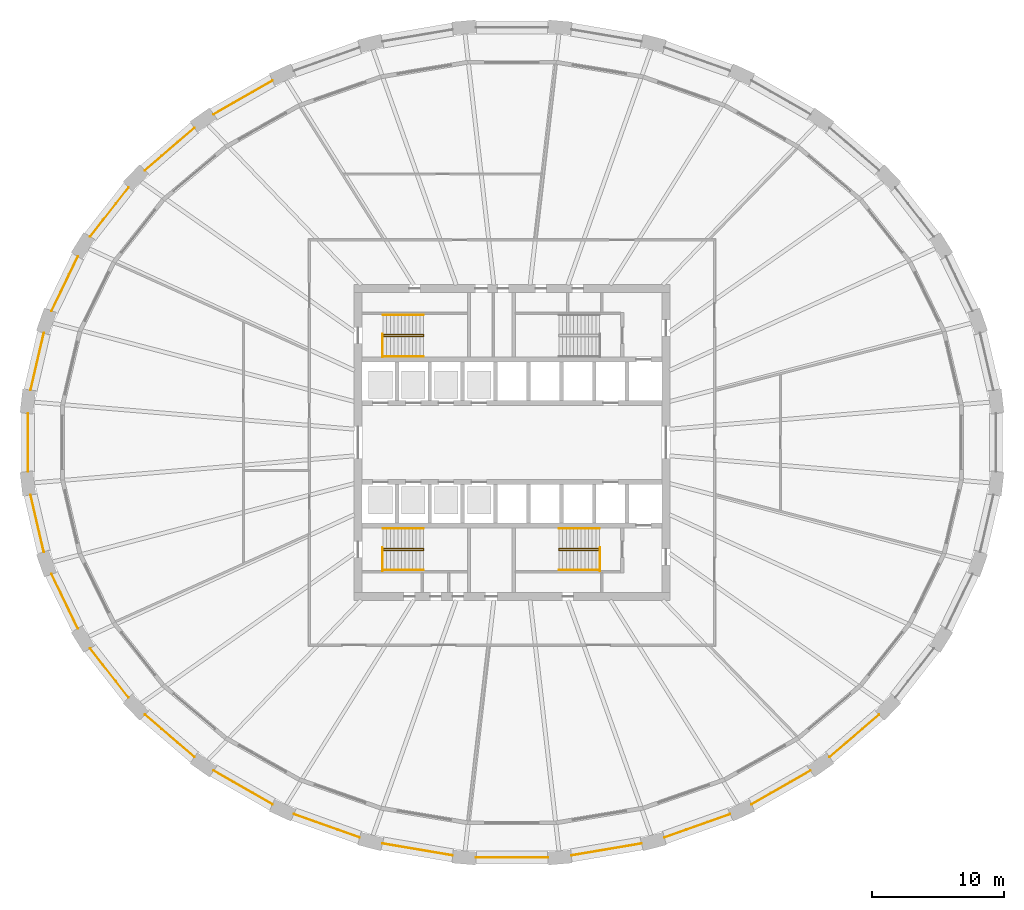
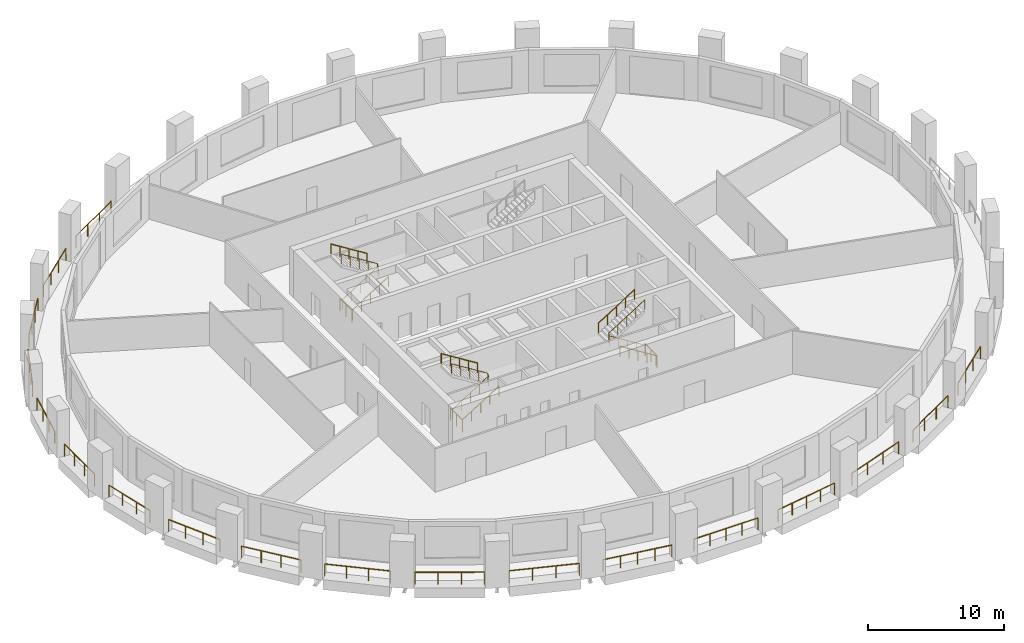
# One storey, part 8 of 10: 30 railings.
"""IFC4 building model written with IfcOpenShell, lengths in metres."""

from ifc_helpers import new_model, si_unit, direction, frame, origin, origin_2d, place, context, subcontext, project, spatial, circle, extrude, material, type_object, element, save


model = new_model("IFC4")

# Units and contexts
model_context = context("Model", 3, precision=1e-05, world=origin(), true_north=direction((0.0, 1.0)))
body_context = subcontext(model_context, "Body", "Model", "MODEL_VIEW")
ifc_project = project(units=[si_unit("LENGTHUNIT", "METRE"), si_unit("AREAUNIT", "SQUARE_METRE"), si_unit("VOLUMEUNIT", "CUBIC_METRE"), si_unit("PLANEANGLEUNIT", "RADIAN"), si_unit("MASSUNIT", "GRAM", prefix="KILO")], contexts=[model_context])

# Site, building, storey
site_placement = place(None, origin())
site = spatial("IfcSite", under=ifc_project, at=site_placement, CompositionType="ELEMENT")
building_placement = place(site_placement, origin())
building = spatial("IfcBuilding", under=site, at=building_placement, Name="Halqa Exchange Tower", CompositionType="ELEMENT")
storey_placement = place(building_placement, frame((0.0, 0.0, 61.300048828125)))
storey = spatial("IfcBuildingStorey", under=building, at=storey_placement, Name="L13", CompositionType="ELEMENT", Elevation=61.300048828125)

# Railings
ifc_material = material(Name="Stainless steel", Category="steel")
railing_type_1 = type_object("IfcRailingType", Name="Guard 1100 stainless steel", PredefinedType="GUARDRAIL", material=ifc_material)
railing_1_placement = place(storey_placement, frame((-18.210205078125, 27.502197265625, 0.0)))
element("IfcRailing", 1, at=railing_1_placement, inside=storey, type_object=railing_type_1, Name="Loggia guard 11", PredefinedType="GUARDRAIL", context=body_context, shape_type="SweptSolid", body=[
    extrude(circle(Radius=0.02392578125, at=origin_2d()), frame((0.0, 0.0, 1.076171875), z_axis=(-0.867766755892, -0.496971686688, 0.0), x_axis=(0.496971686688, -0.867766755892, 0.0)), (0.0, 0.0, 1.0), 5.14501953125),
    extrude(circle(Radius=0.02099609375, at=origin_2d()), origin(), (0.0, 0.0, 1.0), 1.052001953125),
    extrude(circle(Radius=0.02099609375, at=origin_2d()), frame((-1.48828125, -0.852294921875, 0.0)), (0.0, 0.0, 1.0), 1.052001953125),
    extrude(circle(Radius=0.02099609375, at=origin_2d()), frame((-2.976318359375, -1.70458984375, 0.0)), (0.0, 0.0, 1.0), 1.052001953125),
    extrude(circle(Radius=0.02099609375, at=origin_2d()), frame((-4.464599609375, -2.556884765625, 0.0)), (0.0, 0.0, 1.0), 1.052001953125),
])
railing_2_placement = place(storey_placement, frame((-24.13916015625, 23.912353515625, 0.0)))
element("IfcRailing", 2, at=railing_2_placement, inside=storey, type_object=railing_type_1, Name="Loggia guard 12", PredefinedType="GUARDRAIL", context=body_context, shape_type="SweptSolid", body=[
    extrude(circle(Radius=0.02392578125, at=origin_2d()), frame((0.0, 0.0, 1.076171875), z_axis=(-0.75924963979, -0.650799496373, 0.0), x_axis=(0.650799496373, -0.75924963979, 0.0)), (0.0, 0.0, 1.0), 4.950439453125),
    extrude(circle(Radius=0.02099609375, at=origin_2d()), origin(), (0.0, 0.0, 1.0), 1.052001953125),
    extrude(circle(Radius=0.02099609375, at=origin_2d()), frame((-1.2529296875, -1.073974609375, 0.0)), (0.0, 0.0, 1.0), 1.052001953125),
    extrude(circle(Radius=0.02099609375, at=origin_2d()), frame((-2.505615234375, -2.147705078125, 0.0)), (0.0, 0.0, 1.0), 1.052001953125),
    extrude(circle(Radius=0.02099609375, at=origin_2d()), frame((-3.758544921875, -3.2216796875, 0.0)), (0.0, 0.0, 1.0), 1.052001953125),
])
railing_3_placement = place(storey_placement, frame((-29.134521484375, 19.395263671875, 0.0)))
element("IfcRailing", 3, at=railing_3_placement, inside=storey, type_object=railing_type_1, Name="Loggia guard 13", PredefinedType="GUARDRAIL", context=body_context, shape_type="SweptSolid", body=[
    extrude(circle(Radius=0.02392578125, at=origin_2d()), frame((0.0, 0.0, 1.076171875), z_axis=(-0.614797843814, -0.788684735012, 0.0), x_axis=(0.788684735012, -0.614797843814, 0.0)), (0.0, 0.0, 1.0), 4.749755859375),
    extrude(circle(Radius=0.02099609375, at=origin_2d()), origin(), (0.0, 0.0, 1.0), 1.052001953125),
    extrude(circle(Radius=0.02099609375, at=origin_2d()), frame((-0.973388671875, -1.248779296875, 0.0)), (0.0, 0.0, 1.0), 1.052001953125),
    extrude(circle(Radius=0.02099609375, at=origin_2d()), frame((-1.94677734375, -2.497314453125, 0.0)), (0.0, 0.0, 1.0), 1.052001953125),
    extrude(circle(Radius=0.02099609375, at=origin_2d()), frame((-2.920166015625, -3.74609375, 0.0)), (0.0, 0.0, 1.0), 1.052001953125),
])
railing_4_placement = place(storey_placement, frame((-32.99951171875, 14.129150390625, 0.0)))
element("IfcRailing", 4, at=railing_4_placement, inside=storey, type_object=railing_type_1, Name="Loggia guard 14", PredefinedType="GUARDRAIL", context=body_context, shape_type="SweptSolid", body=[
    extrude(circle(Radius=0.02392578125, at=origin_2d()), frame((0.0, 0.0, 1.076171875), z_axis=(-0.435090791332, -0.900386585472, 0.0), x_axis=(0.900386585472, -0.435090791332, 0.0)), (0.0, 0.0, 1.0), 4.574951171875),
    extrude(circle(Radius=0.02099609375, at=origin_2d()), origin(), (0.0, 0.0, 1.0), 1.052001953125),
    extrude(circle(Radius=0.02099609375, at=origin_2d()), frame((-0.66357421875, -1.373046875, 0.0)), (0.0, 0.0, 1.0), 1.052001953125),
    extrude(circle(Radius=0.02099609375, at=origin_2d()), frame((-1.326904296875, -2.74609375, 0.0)), (0.0, 0.0, 1.0), 1.052001953125),
    extrude(circle(Radius=0.02099609375, at=origin_2d()), frame((-1.990478515625, -4.119140625, 0.0)), (0.0, 0.0, 1.0), 1.052001953125),
])
railing_5_placement = place(storey_placement, frame((-35.585205078125, 8.322998046875, 0.0)))
element("IfcRailing", 5, at=railing_5_placement, inside=storey, type_object=railing_type_1, Name="Loggia guard 15", PredefinedType="GUARDRAIL", context=body_context, shape_type="SweptSolid", body=[
    extrude(circle(Radius=0.02392578125, at=origin_2d()), frame((0.0, 0.0, 1.076171875), z_axis=(-0.226035930203, -0.974118965146, 0.0), x_axis=(0.974118965146, -0.226035930203, 0.0)), (0.0, 0.0, 1.0), 4.455322265625),
    extrude(circle(Radius=0.02099609375, at=origin_2d()), origin(), (0.0, 0.0, 1.0), 1.052001953125),
    extrude(circle(Radius=0.02099609375, at=origin_2d()), frame((-0.335693359375, -1.44677734375, 0.0)), (0.0, 0.0, 1.0), 1.052001953125),
    extrude(circle(Radius=0.02099609375, at=origin_2d()), frame((-0.67138671875, -2.893310546875, 0.0)), (0.0, 0.0, 1.0), 1.052001953125),
    extrude(circle(Radius=0.02099609375, at=origin_2d()), frame((-1.007080078125, -4.340087890625, 0.0)), (0.0, 0.0, 1.0), 1.052001953125),
])
railing_6_placement = place(storey_placement, frame((-36.795654296875, 2.206298828125, 0.0)))
element("IfcRailing", 6, at=railing_6_placement, inside=storey, type_object=railing_type_1, Name="Loggia guard 16", PredefinedType="GUARDRAIL", context=body_context, shape_type="SweptSolid", body=[
    extrude(circle(Radius=0.02392578125, at=origin_2d()), frame((0.0, 0.0, 1.076171875), z_axis=(0.0, -1.0, 0.0), x_axis=(1.0, 0.0, 0.0)), (0.0, 0.0, 1.0), 4.41259765625),
    extrude(circle(Radius=0.02099609375, at=origin_2d()), origin(), (0.0, 0.0, 1.0), 1.052001953125),
    extrude(circle(Radius=0.02099609375, at=origin_2d()), frame((0.0, -1.470947265625, 0.0)), (0.0, 0.0, 1.0), 1.052001953125),
    extrude(circle(Radius=0.02099609375, at=origin_2d()), frame((0.0, -2.941650390625, 0.0)), (0.0, 0.0, 1.0), 1.052001953125),
    extrude(circle(Radius=0.02099609375, at=origin_2d()), frame((0.0, -4.41259765625, 0.0)), (0.0, 0.0, 1.0), 1.052001953125),
])
railing_7_placement = place(storey_placement, frame((-36.59228515625, -3.98291015625, 0.0)))
element("IfcRailing", 7, at=railing_7_placement, inside=storey, type_object=railing_type_1, Name="Loggia guard 17", PredefinedType="GUARDRAIL", context=body_context, shape_type="SweptSolid", body=[
    extrude(circle(Radius=0.02392578125, at=origin_2d()), frame((0.0, 0.0, 1.076171875), z_axis=(0.226035930203, -0.974118965146, 0.0), x_axis=(0.974118965146, 0.226035930203, 0.0)), (0.0, 0.0, 1.0), 4.455322265625),
    extrude(circle(Radius=0.02099609375, at=origin_2d()), origin(), (0.0, 0.0, 1.0), 1.052001953125),
    extrude(circle(Radius=0.02099609375, at=origin_2d()), frame((0.335693359375, -1.44677734375, 0.0)), (0.0, 0.0, 1.0), 1.052001953125),
    extrude(circle(Radius=0.02099609375, at=origin_2d()), frame((0.67138671875, -2.893310546875, 0.0)), (0.0, 0.0, 1.0), 1.052001953125),
    extrude(circle(Radius=0.02099609375, at=origin_2d()), frame((1.007080078125, -4.340087890625, 0.0)), (0.0, 0.0, 1.0), 1.052001953125),
])
railing_8_placement = place(storey_placement, frame((-34.989990234375, -10.010009765625, 0.0)))
element("IfcRailing", 8, at=railing_8_placement, inside=storey, type_object=railing_type_1, Name="Loggia guard 18", PredefinedType="GUARDRAIL", context=body_context, shape_type="SweptSolid", body=[
    extrude(circle(Radius=0.02392578125, at=origin_2d()), frame((0.0, 0.0, 1.076171875), z_axis=(0.435090791332, -0.900386585472, 0.0), x_axis=(0.900386585472, 0.435090791332, 0.0)), (0.0, 0.0, 1.0), 4.574951171875),
    extrude(circle(Radius=0.02099609375, at=origin_2d()), origin(), (0.0, 0.0, 1.0), 1.052001953125),
    extrude(circle(Radius=0.02099609375, at=origin_2d()), frame((0.66357421875, -1.373046875, 0.0)), (0.0, 0.0, 1.0), 1.052001953125),
    extrude(circle(Radius=0.02099609375, at=origin_2d()), frame((1.326904296875, -2.74609375, 0.0)), (0.0, 0.0, 1.0), 1.052001953125),
    extrude(circle(Radius=0.02099609375, at=origin_2d()), frame((1.990478515625, -4.119140625, 0.0)), (0.0, 0.0, 1.0), 1.052001953125),
])
railing_9_placement = place(storey_placement, frame((-32.0546875, -15.649169921875, 0.0)))
element("IfcRailing", 9, at=railing_9_placement, inside=storey, type_object=railing_type_1, Name="Loggia guard 19", PredefinedType="GUARDRAIL", context=body_context, shape_type="SweptSolid", body=[
    extrude(circle(Radius=0.02392578125, at=origin_2d()), frame((0.0, 0.0, 1.076171875), z_axis=(0.614797843814, -0.788684735012, 0.0), x_axis=(0.788684735012, 0.614797843814, 0.0)), (0.0, 0.0, 1.0), 4.749755859375),
    extrude(circle(Radius=0.02099609375, at=origin_2d()), origin(), (0.0, 0.0, 1.0), 1.052001953125),
    extrude(circle(Radius=0.02099609375, at=origin_2d()), frame((0.973388671875, -1.248779296875, 0.0)), (0.0, 0.0, 1.0), 1.052001953125),
    extrude(circle(Radius=0.02099609375, at=origin_2d()), frame((1.94677734375, -2.497314453125, 0.0)), (0.0, 0.0, 1.0), 1.052001953125),
    extrude(circle(Radius=0.02099609375, at=origin_2d()), frame((2.920166015625, -3.74609375, 0.0)), (0.0, 0.0, 1.0), 1.052001953125),
])
railing_10_placement = place(storey_placement, frame((-27.897705078125, -20.690673828125, 0.0)))
element("IfcRailing", 10, at=railing_10_placement, inside=storey, type_object=railing_type_1, Name="Loggia guard 20", PredefinedType="GUARDRAIL", context=body_context, shape_type="SweptSolid", body=[
    extrude(circle(Radius=0.02392578125, at=origin_2d()), frame((0.0, 0.0, 1.076171875), z_axis=(0.75924963979, -0.650799496373, 0.0), x_axis=(0.650799496373, 0.75924963979, 0.0)), (0.0, 0.0, 1.0), 4.950439453125),
    extrude(circle(Radius=0.02099609375, at=origin_2d()), origin(), (0.0, 0.0, 1.0), 1.052001953125),
    extrude(circle(Radius=0.02099609375, at=origin_2d()), frame((1.2529296875, -1.073974609375, 0.0)), (0.0, 0.0, 1.0), 1.052001953125),
    extrude(circle(Radius=0.02099609375, at=origin_2d()), frame((2.505615234375, -2.147705078125, 0.0)), (0.0, 0.0, 1.0), 1.052001953125),
    extrude(circle(Radius=0.02099609375, at=origin_2d()), frame((3.758544921875, -3.2216796875, 0.0)), (0.0, 0.0, 1.0), 1.052001953125),
])
railing_11_placement = place(storey_placement, frame((-22.6748046875, -24.9453125, 0.0)))
element("IfcRailing", 11, at=railing_11_placement, inside=storey, type_object=railing_type_1, Name="Loggia guard 21", PredefinedType="GUARDRAIL", context=body_context, shape_type="SweptSolid", body=[
    extrude(circle(Radius=0.02392578125, at=origin_2d()), frame((0.0, 0.0, 1.076171875), z_axis=(0.867766755892, -0.496971686688, 0.0), x_axis=(0.496971686688, 0.867766755892, 0.0)), (0.0, 0.0, 1.0), 5.14501953125),
    extrude(circle(Radius=0.02099609375, at=origin_2d()), origin(), (0.0, 0.0, 1.0), 1.052001953125),
    extrude(circle(Radius=0.02099609375, at=origin_2d()), frame((1.48828125, -0.852294921875, 0.0)), (0.0, 0.0, 1.0), 1.052001953125),
    extrude(circle(Radius=0.02099609375, at=origin_2d()), frame((2.976318359375, -1.70458984375, 0.0)), (0.0, 0.0, 1.0), 1.052001953125),
    extrude(circle(Radius=0.02099609375, at=origin_2d()), frame((4.464599609375, -2.556884765625, 0.0)), (0.0, 0.0, 1.0), 1.052001953125),
])
railing_12_placement = place(storey_placement, frame((-16.581298828125, -28.250732421875, 0.0)))
element("IfcRailing", 12, at=railing_12_placement, inside=storey, type_object=railing_type_1, Name="Loggia guard 22", PredefinedType="GUARDRAIL", context=body_context, shape_type="SweptSolid", body=[
    extrude(circle(Radius=0.02392578125, at=origin_2d()), frame((0.0, 0.0, 1.076171875), z_axis=(0.942376278885, -0.334554851998, 0.0), x_axis=(0.334554851998, 0.942376278885, 0.0)), (0.0, 0.0, 1.0), 5.305908203125),
    extrude(circle(Radius=0.02099609375, at=origin_2d()), origin(), (0.0, 0.0, 1.0), 1.052001953125),
    extrude(circle(Radius=0.02099609375, at=origin_2d()), frame((1.666748046875, -0.591796875, 0.0)), (0.0, 0.0, 1.0), 1.052001953125),
    extrude(circle(Radius=0.02099609375, at=origin_2d()), frame((3.33349609375, -1.183349609375, 0.0)), (0.0, 0.0, 1.0), 1.052001953125),
    extrude(circle(Radius=0.02099609375, at=origin_2d()), frame((5.000244140625, -1.775146484375, 0.0)), (0.0, 0.0, 1.0), 1.052001953125),
])
railing_13_placement = place(storey_placement, frame((-9.845703125, -30.478515625, 0.0)))
element("IfcRailing", 13, at=railing_13_placement, inside=storey, type_object=railing_type_1, Name="Loggia guard 23", PredefinedType="GUARDRAIL", context=body_context, shape_type="SweptSolid", body=[
    extrude(circle(Radius=0.02392578125, at=origin_2d()), frame((0.0, 0.0, 1.076171875), z_axis=(0.985784942873, -0.168012042438, 0.0), x_axis=(0.168012042438, 0.985784942873, 0.0)), (0.0, 0.0, 1.0), 5.411376953125),
    extrude(circle(Radius=0.02099609375, at=origin_2d()), origin(), (0.0, 0.0, 1.0), 1.052001953125),
    extrude(circle(Radius=0.02099609375, at=origin_2d()), frame((1.33349609375, -0.227294921875, 0.0)), (0.0, 0.0, 1.0), 1.052001953125),
    extrude(circle(Radius=0.02099609375, at=origin_2d()), frame((2.667236328125, -0.45458984375, 0.0)), (0.0, 0.0, 1.0), 1.052001953125),
    extrude(circle(Radius=0.02099609375, at=origin_2d()), frame((4.0009765625, -0.681884765625, 0.0)), (0.0, 0.0, 1.0), 1.052001953125),
    extrude(circle(Radius=0.02099609375, at=origin_2d()), frame((5.33447265625, -0.9091796875, 0.0)), (0.0, 0.0, 1.0), 1.052001953125),
])
railing_14_placement = place(storey_placement, frame((-2.72412109375, -31.5390625, 0.0)))
element("IfcRailing", 14, at=railing_14_placement, inside=storey, type_object=railing_type_1, Name="Loggia guard 24", PredefinedType="GUARDRAIL", context=body_context, shape_type="SweptSolid", body=[
    extrude(circle(Radius=0.02392578125, at=origin_2d()), frame((0.0, 0.0, 1.076171875), z_axis=(1.0, 0.0, 0.0), x_axis=(0.0, 1.0, 0.0)), (0.0, 0.0, 1.0), 5.4482421875),
    extrude(circle(Radius=0.02099609375, at=origin_2d()), origin(), (0.0, 0.0, 1.0), 1.052001953125),
    extrude(circle(Radius=0.02099609375, at=origin_2d()), frame((1.362060546875, 0.0, 0.0)), (0.0, 0.0, 1.0), 1.052001953125),
    extrude(circle(Radius=0.02099609375, at=origin_2d()), frame((2.72412109375, 0.0, 0.0)), (0.0, 0.0, 1.0), 1.052001953125),
    extrude(circle(Radius=0.02099609375, at=origin_2d()), frame((4.086181640625, 0.0, 0.0)), (0.0, 0.0, 1.0), 1.052001953125),
    extrude(circle(Radius=0.02099609375, at=origin_2d()), frame((5.4482421875, 0.0, 0.0)), (0.0, 0.0, 1.0), 1.052001953125),
])
railing_15_placement = place(storey_placement, frame((4.51123046875, -31.3876953125, 0.0)))
element("IfcRailing", 15, at=railing_15_placement, inside=storey, type_object=railing_type_1, Name="Loggia guard 25", PredefinedType="GUARDRAIL", context=body_context, shape_type="SweptSolid", body=[
    extrude(circle(Radius=0.02392578125, at=origin_2d()), frame((0.0, 0.0, 1.076171875), z_axis=(0.985784942873, 0.168012042438, 0.0), x_axis=(-0.168012042438, 0.985784942873, 0.0)), (0.0, 0.0, 1.0), 5.411376953125),
    extrude(circle(Radius=0.02099609375, at=origin_2d()), origin(), (0.0, 0.0, 1.0), 1.052001953125),
    extrude(circle(Radius=0.02099609375, at=origin_2d()), frame((1.33349609375, 0.227294921875, 0.0)), (0.0, 0.0, 1.0), 1.052001953125),
    extrude(circle(Radius=0.02099609375, at=origin_2d()), frame((2.667236328125, 0.45458984375, 0.0)), (0.0, 0.0, 1.0), 1.052001953125),
    extrude(circle(Radius=0.02099609375, at=origin_2d()), frame((4.0009765625, 0.681884765625, 0.0)), (0.0, 0.0, 1.0), 1.052001953125),
    extrude(circle(Radius=0.02099609375, at=origin_2d()), frame((5.33447265625, 0.9091796875, 0.0)), (0.0, 0.0, 1.0), 1.052001953125),
])
railing_16_placement = place(storey_placement, frame((11.5810546875, -30.02587890625, 0.0)))
element("IfcRailing", 16, at=railing_16_placement, inside=storey, type_object=railing_type_1, Name="Loggia guard 26", PredefinedType="GUARDRAIL", context=body_context, shape_type="SweptSolid", body=[
    extrude(circle(Radius=0.02392578125, at=origin_2d()), frame((0.0, 0.0, 1.076171875), z_axis=(0.942376278885, 0.334554851998, 0.0), x_axis=(-0.334554851998, 0.942376278885, 0.0)), (0.0, 0.0, 1.0), 5.305908203125),
    extrude(circle(Radius=0.02099609375, at=origin_2d()), origin(), (0.0, 0.0, 1.0), 1.052001953125),
    extrude(circle(Radius=0.02099609375, at=origin_2d()), frame((1.666748046875, 0.591796875, 0.0)), (0.0, 0.0, 1.0), 1.052001953125),
    extrude(circle(Radius=0.02099609375, at=origin_2d()), frame((3.33349609375, 1.183349609375, 0.0)), (0.0, 0.0, 1.0), 1.052001953125),
    extrude(circle(Radius=0.02099609375, at=origin_2d()), frame((5.000244140625, 1.775146484375, 0.0)), (0.0, 0.0, 1.0), 1.052001953125),
])
railing_17_placement = place(storey_placement, frame((18.210205078125, -27.502197265625, 0.0)))
element("IfcRailing", 17, at=railing_17_placement, inside=storey, type_object=railing_type_1, Name="Loggia guard 27", PredefinedType="GUARDRAIL", context=body_context, shape_type="SweptSolid", body=[
    extrude(circle(Radius=0.02392578125, at=origin_2d()), frame((0.0, 0.0, 1.076171875), z_axis=(0.867766755892, 0.496971686688, 0.0), x_axis=(-0.496971686688, 0.867766755892, 0.0)), (0.0, 0.0, 1.0), 5.14501953125),
    extrude(circle(Radius=0.02099609375, at=origin_2d()), origin(), (0.0, 0.0, 1.0), 1.052001953125),
    extrude(circle(Radius=0.02099609375, at=origin_2d()), frame((1.48828125, 0.852294921875, 0.0)), (0.0, 0.0, 1.0), 1.052001953125),
    extrude(circle(Radius=0.02099609375, at=origin_2d()), frame((2.976318359375, 1.70458984375, 0.0)), (0.0, 0.0, 1.0), 1.052001953125),
    extrude(circle(Radius=0.02099609375, at=origin_2d()), frame((4.464599609375, 2.556884765625, 0.0)), (0.0, 0.0, 1.0), 1.052001953125),
])
railing_18_placement = place(storey_placement, frame((24.13916015625, -23.912353515625, 0.0)))
element("IfcRailing", 18, at=railing_18_placement, inside=storey, type_object=railing_type_1, Name="Loggia guard 28", PredefinedType="GUARDRAIL", context=body_context, shape_type="SweptSolid", body=[
    extrude(circle(Radius=0.02392578125, at=origin_2d()), frame((0.0, 0.0, 1.076171875), z_axis=(0.75924963979, 0.650799496373, 0.0), x_axis=(-0.650799496373, 0.75924963979, 0.0)), (0.0, 0.0, 1.0), 4.950439453125),
    extrude(circle(Radius=0.02099609375, at=origin_2d()), origin(), (0.0, 0.0, 1.0), 1.052001953125),
    extrude(circle(Radius=0.02099609375, at=origin_2d()), frame((1.2529296875, 1.073974609375, 0.0)), (0.0, 0.0, 1.0), 1.052001953125),
    extrude(circle(Radius=0.02099609375, at=origin_2d()), frame((2.505615234375, 2.147705078125, 0.0)), (0.0, 0.0, 1.0), 1.052001953125),
    extrude(circle(Radius=0.02099609375, at=origin_2d()), frame((3.758544921875, 3.2216796875, 0.0)), (0.0, 0.0, 1.0), 1.052001953125),
])
railing_type_2 = type_object("IfcRailingType", Name="Stair handrail 900", PredefinedType="HANDRAIL", material=ifc_material)
railing_19_placement = place(storey_placement, frame((-9.800048828125, 8.06005859375, 0.175048828125)))
element("IfcRailing", 19, at=railing_19_placement, inside=storey, type_object=railing_type_2, Name="Handrail ST1.1", PredefinedType="HANDRAIL", context=body_context, shape_type="SweptSolid", body=[
    extrude(circle(Radius=0.02392578125, at=origin_2d()), frame((0.0, 0.0, 0.8759765625), z_axis=(0.848028513186, 0.0, 0.529950602248), x_axis=(0.0, 1.0, 0.0)), (0.0, 0.0, 1.0), 3.632080078125),
    extrude(circle(Radius=0.02392578125, at=origin_2d()), frame((3.080078125, 0.0, 2.80078125), z_axis=(0.0, 0.595870227118, 0.803080738428), x_axis=(-1.0, 0.0, 0.0)), (0.0, 0.0, 1.0), 0.218017578125),
    extrude(circle(Radius=0.02392578125, at=origin_2d()), frame((3.080078125, 0.1298828125, 2.9755859375), z_axis=(-0.847998304005, 0.0, 0.529998940003), x_axis=(0.0, -1.0, 0.0)), (0.0, 0.0, 1.0), 3.632080078125),
    extrude(circle(Radius=0.02099609375, at=origin_2d()), origin(), (0.0, 0.0, 1.0), 0.851806640625),
    extrude(circle(Radius=0.02099609375, at=origin_2d()), frame((0.77001953125, 0.0, 0.481201171875)), (0.0, 0.0, 1.0), 0.851806640625),
    extrude(circle(Radius=0.02099609375, at=origin_2d()), frame((1.5400390625, 0.0, 0.96240234375)), (0.0, 0.0, 1.0), 0.851806640625),
    extrude(circle(Radius=0.02099609375, at=origin_2d()), frame((2.31005859375, 0.0, 1.443603515625)), (0.0, 0.0, 1.0), 0.851806640625),
    extrude(circle(Radius=0.02099609375, at=origin_2d()), frame((3.080078125, 0.0, 1.9248046875)), (0.0, 0.0, 1.0), 0.851806640625),
    extrude(circle(Radius=0.02099609375, at=origin_2d()), frame((3.080078125, 0.1298828125, 2.099853515625)), (0.0, 0.0, 1.0), 0.851806640625),
    extrude(circle(Radius=0.02099609375, at=origin_2d()), frame((2.31005859375, 0.1298828125, 2.5810546875)), (0.0, 0.0, 1.0), 0.851806640625),
    extrude(circle(Radius=0.02099609375, at=origin_2d()), frame((1.5400390625, 0.1298828125, 3.0625)), (0.0, 0.0, 1.0), 0.851806640625),
    extrude(circle(Radius=0.02099609375, at=origin_2d()), frame((0.77001953125, 0.1298828125, 3.543701171875)), (0.0, 0.0, 1.0), 0.851806640625),
    extrude(circle(Radius=0.02099609375, at=origin_2d()), frame((0.0, 0.1298828125, 4.02490234375)), (0.0, 0.0, 1.0), 0.851806640625),
])
railing_20_placement = place(storey_placement, frame((-9.800048828125, 6.550048828125, 0.175048828125)))
element("IfcRailing", 20, at=railing_20_placement, inside=storey, type_object=railing_type_2, Name="Handrail ST1.2", PredefinedType="HANDRAIL", context=body_context, shape_type="SweptSolid", body=[
    extrude(circle(Radius=0.02392578125, at=origin_2d()), frame((0.0, 0.0, 0.8759765625), z_axis=(0.848028513186, 0.0, 0.529950602248), x_axis=(0.0, 1.0, 0.0)), (0.0, 0.0, 1.0), 3.632080078125),
    extrude(circle(Radius=0.02099609375, at=origin_2d()), origin(), (0.0, 0.0, 1.0), 0.851806640625),
    extrude(circle(Radius=0.02099609375, at=origin_2d()), frame((0.77001953125, 0.0, 0.481201171875)), (0.0, 0.0, 1.0), 0.851806640625),
    extrude(circle(Radius=0.02099609375, at=origin_2d()), frame((1.5400390625, 0.0, 0.96240234375)), (0.0, 0.0, 1.0), 0.851806640625),
    extrude(circle(Radius=0.02099609375, at=origin_2d()), frame((2.31005859375, 0.0, 1.443603515625)), (0.0, 0.0, 1.0), 0.851806640625),
    extrude(circle(Radius=0.02099609375, at=origin_2d()), frame((3.080078125, 0.0, 1.9248046875)), (0.0, 0.0, 1.0), 0.851806640625),
])
railing_21_placement = place(storey_placement, frame((-6.719970703125, 9.699951171875, 2.27490234375)))
element("IfcRailing", 21, at=railing_21_placement, inside=storey, type_object=railing_type_2, Name="Handrail ST1.3", PredefinedType="HANDRAIL", context=body_context, shape_type="SweptSolid", body=[
    extrude(circle(Radius=0.02392578125, at=origin_2d()), frame((0.0, 0.0, 0.8759765625), z_axis=(-0.847998304005, 0.0, 0.529998940003), x_axis=(0.0, -1.0, 0.0)), (0.0, 0.0, 1.0), 3.632080078125),
    extrude(circle(Radius=0.02099609375, at=origin_2d()), origin(), (0.0, 0.0, 1.0), 0.851806640625),
    extrude(circle(Radius=0.02099609375, at=origin_2d()), frame((-0.77001953125, 0.0, 0.481201171875)), (0.0, 0.0, 1.0), 0.851806640625),
    extrude(circle(Radius=0.02099609375, at=origin_2d()), frame((-1.5400390625, 0.0, 0.96240234375)), (0.0, 0.0, 1.0), 0.851806640625),
    extrude(circle(Radius=0.02099609375, at=origin_2d()), frame((-2.31005859375, 0.0, 1.44384765625)), (0.0, 0.0, 1.0), 0.851806640625),
    extrude(circle(Radius=0.02099609375, at=origin_2d()), frame((-3.080078125, 0.0, 1.925048828125)), (0.0, 0.0, 1.0), 0.851806640625),
])
railing_22_placement = place(storey_placement, frame((-9.800048828125, -8.18994140625, 0.175048828125)))
element("IfcRailing", 22, at=railing_22_placement, inside=storey, type_object=railing_type_2, Name="Handrail ST3.1", PredefinedType="HANDRAIL", context=body_context, shape_type="SweptSolid", body=[
    extrude(circle(Radius=0.02392578125, at=origin_2d()), frame((0.0, 0.0, 0.8759765625), z_axis=(0.848028513186, 0.0, 0.529950602248), x_axis=(0.0, 1.0, 0.0)), (0.0, 0.0, 1.0), 3.632080078125),
    extrude(circle(Radius=0.02392578125, at=origin_2d()), frame((3.080078125, 0.0, 2.80078125), z_axis=(0.0, 0.595870227118, 0.803080738428), x_axis=(-1.0, 0.0, 0.0)), (0.0, 0.0, 1.0), 0.218017578125),
    extrude(circle(Radius=0.02392578125, at=origin_2d()), frame((3.080078125, 0.1298828125, 2.9755859375), z_axis=(-0.847998304005, 0.0, 0.529998940003), x_axis=(0.0, -1.0, 0.0)), (0.0, 0.0, 1.0), 3.632080078125),
    extrude(circle(Radius=0.02099609375, at=origin_2d()), origin(), (0.0, 0.0, 1.0), 0.851806640625),
    extrude(circle(Radius=0.02099609375, at=origin_2d()), frame((0.77001953125, 0.0, 0.481201171875)), (0.0, 0.0, 1.0), 0.851806640625),
    extrude(circle(Radius=0.02099609375, at=origin_2d()), frame((1.5400390625, 0.0, 0.96240234375)), (0.0, 0.0, 1.0), 0.851806640625),
    extrude(circle(Radius=0.02099609375, at=origin_2d()), frame((2.31005859375, 0.0, 1.443603515625)), (0.0, 0.0, 1.0), 0.851806640625),
    extrude(circle(Radius=0.02099609375, at=origin_2d()), frame((3.080078125, 0.0, 1.9248046875)), (0.0, 0.0, 1.0), 0.851806640625),
    extrude(circle(Radius=0.02099609375, at=origin_2d()), frame((3.080078125, 0.1298828125, 2.099853515625)), (0.0, 0.0, 1.0), 0.851806640625),
    extrude(circle(Radius=0.02099609375, at=origin_2d()), frame((2.31005859375, 0.1298828125, 2.5810546875)), (0.0, 0.0, 1.0), 0.851806640625),
    extrude(circle(Radius=0.02099609375, at=origin_2d()), frame((1.5400390625, 0.1298828125, 3.0625)), (0.0, 0.0, 1.0), 0.851806640625),
    extrude(circle(Radius=0.02099609375, at=origin_2d()), frame((0.77001953125, 0.1298828125, 3.543701171875)), (0.0, 0.0, 1.0), 0.851806640625),
    extrude(circle(Radius=0.02099609375, at=origin_2d()), frame((0.0, 0.1298828125, 4.02490234375)), (0.0, 0.0, 1.0), 0.851806640625),
])
railing_23_placement = place(storey_placement, frame((-9.800048828125, -9.699951171875, 0.175048828125)))
element("IfcRailing", 23, at=railing_23_placement, inside=storey, type_object=railing_type_2, Name="Handrail ST3.2", PredefinedType="HANDRAIL", context=body_context, shape_type="SweptSolid", body=[
    extrude(circle(Radius=0.02392578125, at=origin_2d()), frame((0.0, 0.0, 0.8759765625), z_axis=(0.848028513186, 0.0, 0.529950602248), x_axis=(0.0, 1.0, 0.0)), (0.0, 0.0, 1.0), 3.632080078125),
    extrude(circle(Radius=0.02099609375, at=origin_2d()), origin(), (0.0, 0.0, 1.0), 0.851806640625),
    extrude(circle(Radius=0.02099609375, at=origin_2d()), frame((0.77001953125, 0.0, 0.481201171875)), (0.0, 0.0, 1.0), 0.851806640625),
    extrude(circle(Radius=0.02099609375, at=origin_2d()), frame((1.5400390625, 0.0, 0.96240234375)), (0.0, 0.0, 1.0), 0.851806640625),
    extrude(circle(Radius=0.02099609375, at=origin_2d()), frame((2.31005859375, 0.0, 1.443603515625)), (0.0, 0.0, 1.0), 0.851806640625),
    extrude(circle(Radius=0.02099609375, at=origin_2d()), frame((3.080078125, 0.0, 1.9248046875)), (0.0, 0.0, 1.0), 0.851806640625),
])
railing_24_placement = place(storey_placement, frame((-6.719970703125, -6.550048828125, 2.27490234375)))
element("IfcRailing", 24, at=railing_24_placement, inside=storey, type_object=railing_type_2, Name="Handrail ST3.3", PredefinedType="HANDRAIL", context=body_context, shape_type="SweptSolid", body=[
    extrude(circle(Radius=0.02392578125, at=origin_2d()), frame((0.0, 0.0, 0.8759765625), z_axis=(-0.847998304005, 0.0, 0.529998940003), x_axis=(0.0, -1.0, 0.0)), (0.0, 0.0, 1.0), 3.632080078125),
    extrude(circle(Radius=0.02099609375, at=origin_2d()), origin(), (0.0, 0.0, 1.0), 0.851806640625),
    extrude(circle(Radius=0.02099609375, at=origin_2d()), frame((-0.77001953125, 0.0, 0.481201171875)), (0.0, 0.0, 1.0), 0.851806640625),
    extrude(circle(Radius=0.02099609375, at=origin_2d()), frame((-1.5400390625, 0.0, 0.96240234375)), (0.0, 0.0, 1.0), 0.851806640625),
    extrude(circle(Radius=0.02099609375, at=origin_2d()), frame((-2.31005859375, 0.0, 1.44384765625)), (0.0, 0.0, 1.0), 0.851806640625),
    extrude(circle(Radius=0.02099609375, at=origin_2d()), frame((-3.080078125, 0.0, 1.925048828125)), (0.0, 0.0, 1.0), 0.851806640625),
])
railing_25_placement = place(storey_placement, frame((6.64990234375, -8.18994140625, 0.175048828125)))
element("IfcRailing", 25, at=railing_25_placement, inside=storey, type_object=railing_type_2, Name="Handrail ST4.1", PredefinedType="HANDRAIL", context=body_context, shape_type="SweptSolid", body=[
    extrude(circle(Radius=0.02392578125, at=origin_2d()), frame((0.0, 0.0, 0.8759765625), z_axis=(-0.848009633417, 0.0, 0.529980812513), x_axis=(0.0, -1.0, 0.0)), (0.0, 0.0, 1.0), 3.6318359375),
    extrude(circle(Radius=0.02392578125, at=origin_2d()), frame((-3.079833984375, 0.0, 2.80078125), z_axis=(0.0, 0.595870227118, 0.803080738428), x_axis=(-1.0, 0.0, 0.0)), (0.0, 0.0, 1.0), 0.218017578125),
    extrude(circle(Radius=0.02392578125, at=origin_2d()), frame((-3.079833984375, 0.1298828125, 2.9755859375), z_axis=(0.847979421464, 0.0, 0.530029150871), x_axis=(0.0, 1.0, 0.0)), (0.0, 0.0, 1.0), 3.632080078125),
    extrude(circle(Radius=0.02099609375, at=origin_2d()), origin(), (0.0, 0.0, 1.0), 0.851806640625),
    extrude(circle(Radius=0.02099609375, at=origin_2d()), frame((-0.77001953125, 0.0, 0.481201171875)), (0.0, 0.0, 1.0), 0.851806640625),
    extrude(circle(Radius=0.02099609375, at=origin_2d()), frame((-1.5400390625, 0.0, 0.96240234375)), (0.0, 0.0, 1.0), 0.851806640625),
    extrude(circle(Radius=0.02099609375, at=origin_2d()), frame((-2.309814453125, 0.0, 1.443603515625)), (0.0, 0.0, 1.0), 0.851806640625),
    extrude(circle(Radius=0.02099609375, at=origin_2d()), frame((-3.079833984375, 0.0, 1.9248046875)), (0.0, 0.0, 1.0), 0.851806640625),
    extrude(circle(Radius=0.02099609375, at=origin_2d()), frame((-3.079833984375, 0.1298828125, 2.099853515625)), (0.0, 0.0, 1.0), 0.851806640625),
    extrude(circle(Radius=0.02099609375, at=origin_2d()), frame((-2.309814453125, 0.1298828125, 2.5810546875)), (0.0, 0.0, 1.0), 0.851806640625),
    extrude(circle(Radius=0.02099609375, at=origin_2d()), frame((-1.5400390625, 0.1298828125, 3.0625)), (0.0, 0.0, 1.0), 0.851806640625),
    extrude(circle(Radius=0.02099609375, at=origin_2d()), frame((-0.77001953125, 0.1298828125, 3.543701171875)), (0.0, 0.0, 1.0), 0.851806640625),
    extrude(circle(Radius=0.02099609375, at=origin_2d()), frame((0.0, 0.1298828125, 4.02490234375)), (0.0, 0.0, 1.0), 0.851806640625),
])
railing_26_placement = place(storey_placement, frame((6.64990234375, -9.699951171875, 0.175048828125)))
element("IfcRailing", 26, at=railing_26_placement, inside=storey, type_object=railing_type_2, Name="Handrail ST4.2", PredefinedType="HANDRAIL", context=body_context, shape_type="SweptSolid", body=[
    extrude(circle(Radius=0.02392578125, at=origin_2d()), frame((0.0, 0.0, 0.8759765625), z_axis=(-0.848009633417, 0.0, 0.529980812513), x_axis=(0.0, -1.0, 0.0)), (0.0, 0.0, 1.0), 3.6318359375),
    extrude(circle(Radius=0.02099609375, at=origin_2d()), origin(), (0.0, 0.0, 1.0), 0.851806640625),
    extrude(circle(Radius=0.02099609375, at=origin_2d()), frame((-0.77001953125, 0.0, 0.481201171875)), (0.0, 0.0, 1.0), 0.851806640625),
    extrude(circle(Radius=0.02099609375, at=origin_2d()), frame((-1.5400390625, 0.0, 0.96240234375)), (0.0, 0.0, 1.0), 0.851806640625),
    extrude(circle(Radius=0.02099609375, at=origin_2d()), frame((-2.309814453125, 0.0, 1.443603515625)), (0.0, 0.0, 1.0), 0.851806640625),
    extrude(circle(Radius=0.02099609375, at=origin_2d()), frame((-3.079833984375, 0.0, 1.9248046875)), (0.0, 0.0, 1.0), 0.851806640625),
])
railing_27_placement = place(storey_placement, frame((3.570068359375, -6.550048828125, 2.27490234375)))
element("IfcRailing", 27, at=railing_27_placement, inside=storey, type_object=railing_type_2, Name="Handrail ST4.3", PredefinedType="HANDRAIL", context=body_context, shape_type="SweptSolid", body=[
    extrude(circle(Radius=0.02392578125, at=origin_2d()), frame((0.0, 0.0, 0.8759765625), z_axis=(0.847979421464, 0.0, 0.530029150871), x_axis=(0.0, 1.0, 0.0)), (0.0, 0.0, 1.0), 3.632080078125),
    extrude(circle(Radius=0.02099609375, at=origin_2d()), origin(), (0.0, 0.0, 1.0), 0.851806640625),
    extrude(circle(Radius=0.02099609375, at=origin_2d()), frame((0.77001953125, 0.0, 0.481201171875)), (0.0, 0.0, 1.0), 0.851806640625),
    extrude(circle(Radius=0.02099609375, at=origin_2d()), frame((1.5400390625, 0.0, 0.96240234375)), (0.0, 0.0, 1.0), 0.851806640625),
    extrude(circle(Radius=0.02099609375, at=origin_2d()), frame((2.309814453125, 0.0, 1.44384765625)), (0.0, 0.0, 1.0), 0.851806640625),
    extrude(circle(Radius=0.02099609375, at=origin_2d()), frame((3.079833984375, 0.0, 1.925048828125)), (0.0, 0.0, 1.0), 0.851806640625),
])
railing_type_3 = type_object("IfcRailingType", Name="Stair well guard 1100", PredefinedType="GUARDRAIL", material=ifc_material)
for number, where, name in (
    (28, (-9.85009765625, 6.5, 0.0), "Guard ST1 well"),
    (29, (-9.85009765625, -9.75, 0.0), "Guard ST3 well"),
    (30, (6.699951171875, -9.75, 0.0), "Guard ST4 well"),
):
    element("IfcRailing", number, at=place(storey_placement, frame(where)), inside=storey, type_object=railing_type_3, Name=name, PredefinedType="GUARDRAIL", context=body_context, shape_type="SweptSolid", body=[
        extrude(circle(Radius=0.02392578125, at=origin_2d()), frame((0.0, 0.0, 1.076171875), z_axis=(0.0, 1.0, 0.0), x_axis=(-1.0, 0.0, 0.0)), (0.0, 0.0, 1.0), 1.75),
        extrude(circle(Radius=0.02099609375, at=origin_2d()), origin(), (0.0, 0.0, 1.0), 1.052001953125),
        extrude(circle(Radius=0.02099609375, at=origin_2d()), frame((0.0, 0.875, 0.0)), (0.0, 0.0, 1.0), 1.052001953125),
        extrude(circle(Radius=0.02099609375, at=origin_2d()), frame((0.0, 1.75, 0.0)), (0.0, 0.0, 1.0), 1.052001953125),
    ])

save(model, "model.ifc")
